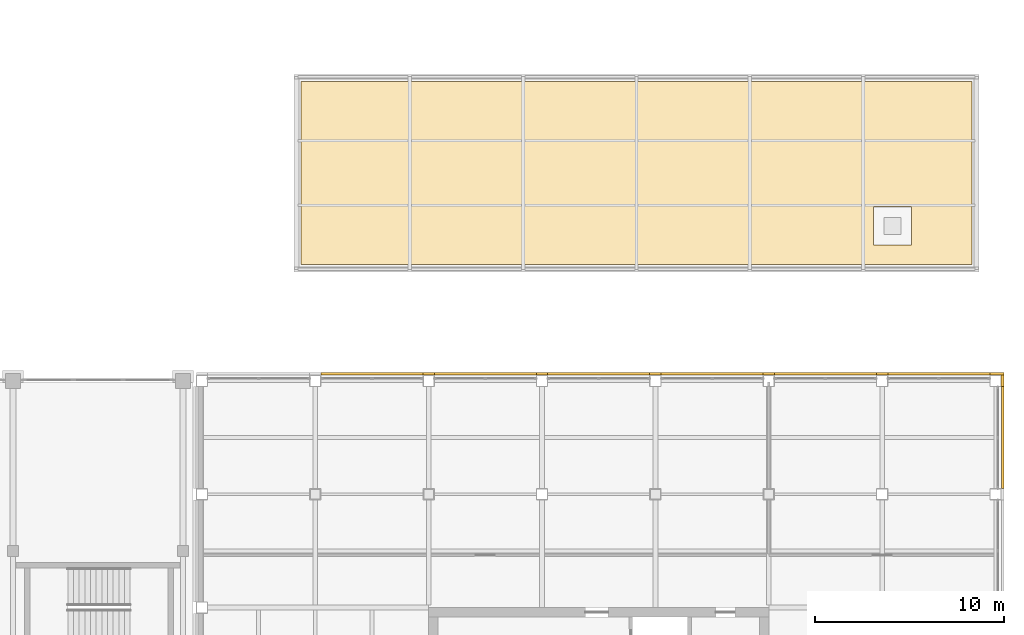
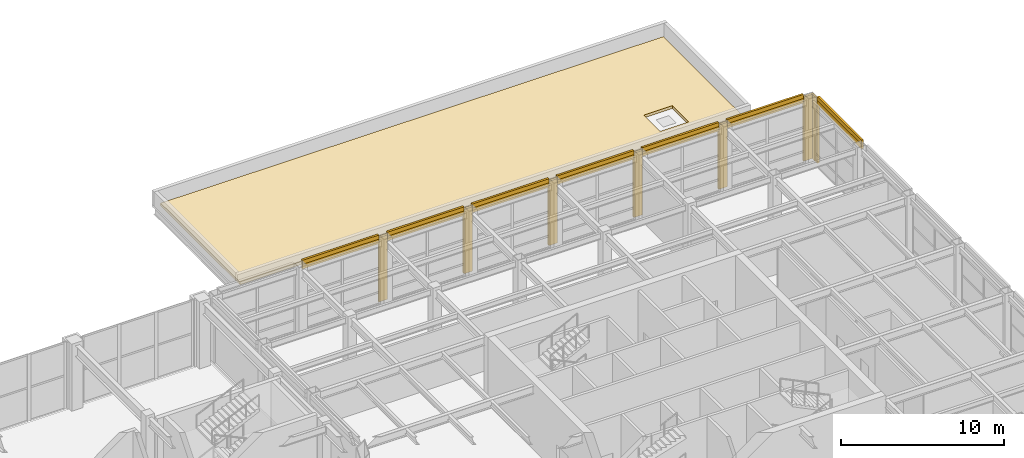
# One storey, part 66 of 67: 22 coverings.
"""IFC4 building model written with IfcOpenShell, lengths in metres."""

from ifc_helpers import new_model, si_unit, direction, frame, origin, place, context, subcontext, project, spatial, polyline, outline, extrude, material, layer, layer_set, type_object, element, save


model = new_model("IFC4")

# Units and contexts
model_context = context("Model", 3, precision=1e-05, world=origin(), true_north=direction((0.0, 1.0)))
body_context = subcontext(model_context, "Body", "Model", "MODEL_VIEW")
ifc_project = project(units=[si_unit("LENGTHUNIT", "METRE"), si_unit("AREAUNIT", "SQUARE_METRE"), si_unit("VOLUMEUNIT", "CUBIC_METRE"), si_unit("PLANEANGLEUNIT", "RADIAN"), si_unit("MASSUNIT", "GRAM", prefix="KILO")], contexts=[model_context])

# Site, building, storey
site_placement = place(None, origin())
site = spatial("IfcSite", under=ifc_project, at=site_placement, CompositionType="ELEMENT")
building_placement = place(site_placement, origin())
building = spatial("IfcBuilding", under=site, at=building_placement, Name="Aravalli Gate Trade Fair Centre", CompositionType="ELEMENT")
storey_placement = place(building_placement, frame((0.0, 0.0, 5.0)))
storey = spatial("IfcBuildingStorey", under=building, at=storey_placement, Name="L01", CompositionType="ELEMENT", Elevation=5.0)

# Coverings
ifc_material_1 = material(Name="Bituminous waterproofing membrane")
ifc_layer_1 = layer(ifc_material_1, 0.010009765625, Name="Waterproofing membrane")
ifc_material_2 = material(Name="Polyethylene drainage board")
ifc_layer_2 = layer(ifc_material_2, 0.050048828125, Name="Drainage layer")
ifc_material_3 = material(Name="Geotextile fleece")
ifc_layer_3 = layer(ifc_material_3, 0.0048828125, Name="Filter layer")
ifc_material_4 = material(Name="Growing medium")
ifc_layer_4 = layer(ifc_material_4, 0.14990234375, Name="Growing medium")
ifc_layer_set_1 = layer_set([ifc_layer_1, ifc_layer_2, ifc_layer_3, ifc_layer_4], Name="Wing green roof build-up 215")
covering_type_1 = type_object("IfcCoveringType", Name="Wing green roof build-up 215", PredefinedType="ROOFING", material=ifc_layer_set_1)
covering_1_placement = place(storey_placement, origin())
element("IfcCovering", 1, at=covering_1_placement, inside=storey, type_object=covering_type_1, Name="Pavilion planted roof 1", PredefinedType="ROOFING", context=body_context, shape_type="SweptSolid", body=[
    extrude(outline(polyline([(165.25, 139.14990234375), (165.25, 148.85009765625), (200.75, 148.85009765625), (200.75, 139.14990234375), (165.25, 139.14990234375)]), holes=[polyline([(197.550048828125, 142.199951171875), (195.550048828125, 142.199951171875), (195.550048828125, 140.199951171875), (197.550048828125, 140.199951171875), (197.550048828125, 142.199951171875)])]), origin(), (0.0, 0.0, 1.0), 0.215087890625),
])
ifc_material_5 = material(Name="Dholpur sandstone", Category="masonry")
ifc_layer_5 = layer(ifc_material_5, 0.14990234375)
ifc_layer_set_2 = layer_set([ifc_layer_5], Name="Dholpur sandstone")
covering_type_2 = type_object("IfcCoveringType", Name="Wing sandstone pier casing 150", PredefinedType="CLADDING", material=ifc_layer_set_2)
covering_2_placement = place(storey_placement, origin())
element("IfcCovering", 2, at=covering_2_placement, inside=storey, type_object=covering_type_2, Name="Pier casing 20K N L01", PredefinedType="CLADDING", context=body_context, shape_type="SweptSolid", body=[
    extrude(outline(polyline([(171.699951171875, 133.300048828125), (172.300048828125, 133.300048828125), (172.300048828125, 133.449951171875), (171.699951171875, 133.449951171875), (171.699951171875, 133.300048828125)])), origin(), (0.0, 0.0, 1.0), 4.800048828125),
])
covering_3_placement = place(storey_placement, origin())
element("IfcCovering", 3, at=covering_3_placement, inside=storey, type_object=covering_type_2, Name="Pier casing 21K N L01", PredefinedType="CLADDING", context=body_context, shape_type="SweptSolid", body=[
    extrude(outline(polyline([(177.699951171875, 133.300048828125), (178.300048828125, 133.300048828125), (178.300048828125, 133.449951171875), (177.699951171875, 133.449951171875), (177.699951171875, 133.300048828125)])), origin(), (0.0, 0.0, 1.0), 4.800048828125),
])
covering_4_placement = place(storey_placement, origin())
element("IfcCovering", 4, at=covering_4_placement, inside=storey, type_object=covering_type_2, Name="Pier casing 22K N L01", PredefinedType="CLADDING", context=body_context, shape_type="SweptSolid", body=[
    extrude(outline(polyline([(183.699951171875, 133.300048828125), (184.300048828125, 133.300048828125), (184.300048828125, 133.449951171875), (183.699951171875, 133.449951171875), (183.699951171875, 133.300048828125)])), origin(), (0.0, 0.0, 1.0), 4.800048828125),
])
covering_5_placement = place(storey_placement, origin())
element("IfcCovering", 5, at=covering_5_placement, inside=storey, type_object=covering_type_2, Name="Pier casing 23K N L01", PredefinedType="CLADDING", context=body_context, shape_type="SweptSolid", body=[
    extrude(outline(polyline([(189.699951171875, 133.300048828125), (190.300048828125, 133.300048828125), (190.300048828125, 133.449951171875), (189.699951171875, 133.449951171875), (189.699951171875, 133.300048828125)])), origin(), (0.0, 0.0, 1.0), 4.800048828125),
])
covering_6_placement = place(storey_placement, origin())
element("IfcCovering", 6, at=covering_6_placement, inside=storey, type_object=covering_type_2, Name="Pier casing 24K N L01", PredefinedType="CLADDING", context=body_context, shape_type="SweptSolid", body=[
    extrude(outline(polyline([(195.699951171875, 133.300048828125), (196.300048828125, 133.300048828125), (196.300048828125, 133.449951171875), (195.699951171875, 133.449951171875), (195.699951171875, 133.300048828125)])), origin(), (0.0, 0.0, 1.0), 4.800048828125),
])
covering_7_placement = place(storey_placement, origin())
element("IfcCovering", 7, at=covering_7_placement, inside=storey, type_object=covering_type_2, Name="Pier casing 25K N L01", PredefinedType="CLADDING", context=body_context, shape_type="SweptSolid", body=[
    extrude(outline(polyline([(201.699951171875, 133.300048828125), (202.449951171875, 133.300048828125), (202.449951171875, 133.449951171875), (201.699951171875, 133.449951171875), (201.699951171875, 133.300048828125)])), origin(), (0.0, 0.0, 1.0), 4.800048828125),
])
covering_8_placement = place(storey_placement, origin())
element("IfcCovering", 8, at=covering_8_placement, inside=storey, type_object=covering_type_2, Name="Pier casing 25K E L01", PredefinedType="CLADDING", context=body_context, shape_type="SweptSolid", body=[
    extrude(outline(polyline([(202.300048828125, 132.699951171875), (202.449951171875, 132.699951171875), (202.449951171875, 133.300048828125), (202.300048828125, 133.300048828125), (202.300048828125, 132.699951171875)])), origin(), (0.0, 0.0, 1.0), 4.800048828125),
])
ifc_material_6 = material(Name="Glazed terracotta", Category="masonry")
ifc_layer_6 = layer(ifc_material_6, 0.14501953125)
ifc_layer_set_3 = layer_set([ifc_layer_6], Name="Glazed terracotta")
covering_type_3 = type_object("IfcCoveringType", Name="Wing spandrel band 145", PredefinedType="CLADDING", material=ifc_layer_set_3)
covering_9_placement = place(storey_placement, frame((0.0, 0.0, 4.35009765625)))
element("IfcCovering", 9, at=covering_9_placement, inside=storey, type_object=covering_type_3, Name="Spandrel band N1 L01", PredefinedType="CLADDING", context=body_context, shape_type="SweptSolid", body=[
    extrude(outline(polyline([(166.300048828125, 133.304931640625), (171.699951171875, 133.304931640625), (171.699951171875, 133.449951171875), (166.300048828125, 133.449951171875), (166.300048828125, 133.304931640625)])), origin(), (0.0, 0.0, 1.0), 0.349853515625),
])
covering_10_placement = place(storey_placement, frame((0.0, 0.0, 4.35009765625)))
element("IfcCovering", 10, at=covering_10_placement, inside=storey, type_object=covering_type_3, Name="Spandrel band N2 L01", PredefinedType="CLADDING", context=body_context, shape_type="SweptSolid", body=[
    extrude(outline(polyline([(172.300048828125, 133.304931640625), (177.699951171875, 133.304931640625), (177.699951171875, 133.449951171875), (172.300048828125, 133.449951171875), (172.300048828125, 133.304931640625)])), origin(), (0.0, 0.0, 1.0), 0.349853515625),
])
covering_11_placement = place(storey_placement, frame((0.0, 0.0, 4.35009765625)))
element("IfcCovering", 11, at=covering_11_placement, inside=storey, type_object=covering_type_3, Name="Spandrel band N3 L01", PredefinedType="CLADDING", context=body_context, shape_type="SweptSolid", body=[
    extrude(outline(polyline([(178.300048828125, 133.304931640625), (183.699951171875, 133.304931640625), (183.699951171875, 133.449951171875), (178.300048828125, 133.449951171875), (178.300048828125, 133.304931640625)])), origin(), (0.0, 0.0, 1.0), 0.349853515625),
])
covering_12_placement = place(storey_placement, frame((0.0, 0.0, 4.35009765625)))
element("IfcCovering", 12, at=covering_12_placement, inside=storey, type_object=covering_type_3, Name="Spandrel band N4 L01", PredefinedType="CLADDING", context=body_context, shape_type="SweptSolid", body=[
    extrude(outline(polyline([(184.300048828125, 133.304931640625), (189.699951171875, 133.304931640625), (189.699951171875, 133.449951171875), (184.300048828125, 133.449951171875), (184.300048828125, 133.304931640625)])), origin(), (0.0, 0.0, 1.0), 0.349853515625),
])
covering_13_placement = place(storey_placement, frame((0.0, 0.0, 4.35009765625)))
element("IfcCovering", 13, at=covering_13_placement, inside=storey, type_object=covering_type_3, Name="Spandrel band N5 L01", PredefinedType="CLADDING", context=body_context, shape_type="SweptSolid", body=[
    extrude(outline(polyline([(190.300048828125, 133.304931640625), (195.699951171875, 133.304931640625), (195.699951171875, 133.449951171875), (190.300048828125, 133.449951171875), (190.300048828125, 133.304931640625)])), origin(), (0.0, 0.0, 1.0), 0.349853515625),
])
covering_14_placement = place(storey_placement, frame((0.0, 0.0, 4.35009765625)))
element("IfcCovering", 14, at=covering_14_placement, inside=storey, type_object=covering_type_3, Name="Spandrel band N6 L01", PredefinedType="CLADDING", context=body_context, shape_type="SweptSolid", body=[
    extrude(outline(polyline([(196.300048828125, 133.304931640625), (201.699951171875, 133.304931640625), (201.699951171875, 133.449951171875), (196.300048828125, 133.449951171875), (196.300048828125, 133.304931640625)])), origin(), (0.0, 0.0, 1.0), 0.349853515625),
])
covering_15_placement = place(storey_placement, frame((0.0, 0.0, 4.35009765625)))
element("IfcCovering", 15, at=covering_15_placement, inside=storey, type_object=covering_type_3, Name="Spandrel band E6 L01", PredefinedType="CLADDING", context=body_context, shape_type="SweptSolid", body=[
    extrude(outline(polyline([(202.304931640625, 127.300048828125), (202.449951171875, 127.300048828125), (202.449951171875, 132.699951171875), (202.304931640625, 132.699951171875), (202.304931640625, 127.300048828125)])), origin(), (0.0, 0.0, 1.0), 0.349853515625),
])
ifc_layer_7 = layer(ifc_material_5, 0.14501953125)
ifc_layer_set_4 = layer_set([ifc_layer_7], Name="Dholpur sandstone")
covering_type_4 = type_object("IfcCoveringType", Name="Wing stone spandrel band 145", PredefinedType="CLADDING", material=ifc_layer_set_4)
covering_16_placement = place(storey_placement, frame((0.0, 0.0, 4.699951171875)))
element("IfcCovering", 16, at=covering_16_placement, inside=storey, type_object=covering_type_4, Name="Stone spandrel band N1 L01", PredefinedType="CLADDING", context=body_context, shape_type="SweptSolid", body=[
    extrude(outline(polyline([(166.300048828125, 133.304931640625), (171.699951171875, 133.304931640625), (171.699951171875, 133.449951171875), (166.300048828125, 133.449951171875), (166.300048828125, 133.304931640625)])), origin(), (0.0, 0.0, 1.0), 0.300048828125),
])
covering_17_placement = place(storey_placement, frame((0.0, 0.0, 4.699951171875)))
element("IfcCovering", 17, at=covering_17_placement, inside=storey, type_object=covering_type_4, Name="Stone spandrel band N2 L01", PredefinedType="CLADDING", context=body_context, shape_type="SweptSolid", body=[
    extrude(outline(polyline([(172.300048828125, 133.304931640625), (177.699951171875, 133.304931640625), (177.699951171875, 133.449951171875), (172.300048828125, 133.449951171875), (172.300048828125, 133.304931640625)])), origin(), (0.0, 0.0, 1.0), 0.300048828125),
])
covering_18_placement = place(storey_placement, frame((0.0, 0.0, 4.699951171875)))
element("IfcCovering", 18, at=covering_18_placement, inside=storey, type_object=covering_type_4, Name="Stone spandrel band N3 L01", PredefinedType="CLADDING", context=body_context, shape_type="SweptSolid", body=[
    extrude(outline(polyline([(178.300048828125, 133.304931640625), (183.699951171875, 133.304931640625), (183.699951171875, 133.449951171875), (178.300048828125, 133.449951171875), (178.300048828125, 133.304931640625)])), origin(), (0.0, 0.0, 1.0), 0.300048828125),
])
covering_19_placement = place(storey_placement, frame((0.0, 0.0, 4.699951171875)))
element("IfcCovering", 19, at=covering_19_placement, inside=storey, type_object=covering_type_4, Name="Stone spandrel band N4 L01", PredefinedType="CLADDING", context=body_context, shape_type="SweptSolid", body=[
    extrude(outline(polyline([(184.300048828125, 133.304931640625), (189.699951171875, 133.304931640625), (189.699951171875, 133.449951171875), (184.300048828125, 133.449951171875), (184.300048828125, 133.304931640625)])), origin(), (0.0, 0.0, 1.0), 0.300048828125),
])
covering_20_placement = place(storey_placement, frame((0.0, 0.0, 4.699951171875)))
element("IfcCovering", 20, at=covering_20_placement, inside=storey, type_object=covering_type_4, Name="Stone spandrel band N5 L01", PredefinedType="CLADDING", context=body_context, shape_type="SweptSolid", body=[
    extrude(outline(polyline([(190.300048828125, 133.304931640625), (195.699951171875, 133.304931640625), (195.699951171875, 133.449951171875), (190.300048828125, 133.449951171875), (190.300048828125, 133.304931640625)])), origin(), (0.0, 0.0, 1.0), 0.300048828125),
])
covering_21_placement = place(storey_placement, frame((0.0, 0.0, 4.699951171875)))
element("IfcCovering", 21, at=covering_21_placement, inside=storey, type_object=covering_type_4, Name="Stone spandrel band N6 L01", PredefinedType="CLADDING", context=body_context, shape_type="SweptSolid", body=[
    extrude(outline(polyline([(196.300048828125, 133.304931640625), (201.699951171875, 133.304931640625), (201.699951171875, 133.449951171875), (196.300048828125, 133.449951171875), (196.300048828125, 133.304931640625)])), origin(), (0.0, 0.0, 1.0), 0.300048828125),
])
covering_22_placement = place(storey_placement, frame((0.0, 0.0, 4.699951171875)))
element("IfcCovering", 22, at=covering_22_placement, inside=storey, type_object=covering_type_4, Name="Stone spandrel band E6 L01", PredefinedType="CLADDING", context=body_context, shape_type="SweptSolid", body=[
    extrude(outline(polyline([(202.304931640625, 127.300048828125), (202.449951171875, 127.300048828125), (202.449951171875, 132.699951171875), (202.304931640625, 132.699951171875), (202.304931640625, 127.300048828125)])), origin(), (0.0, 0.0, 1.0), 0.300048828125),
])

save(model, "model.ifc")
